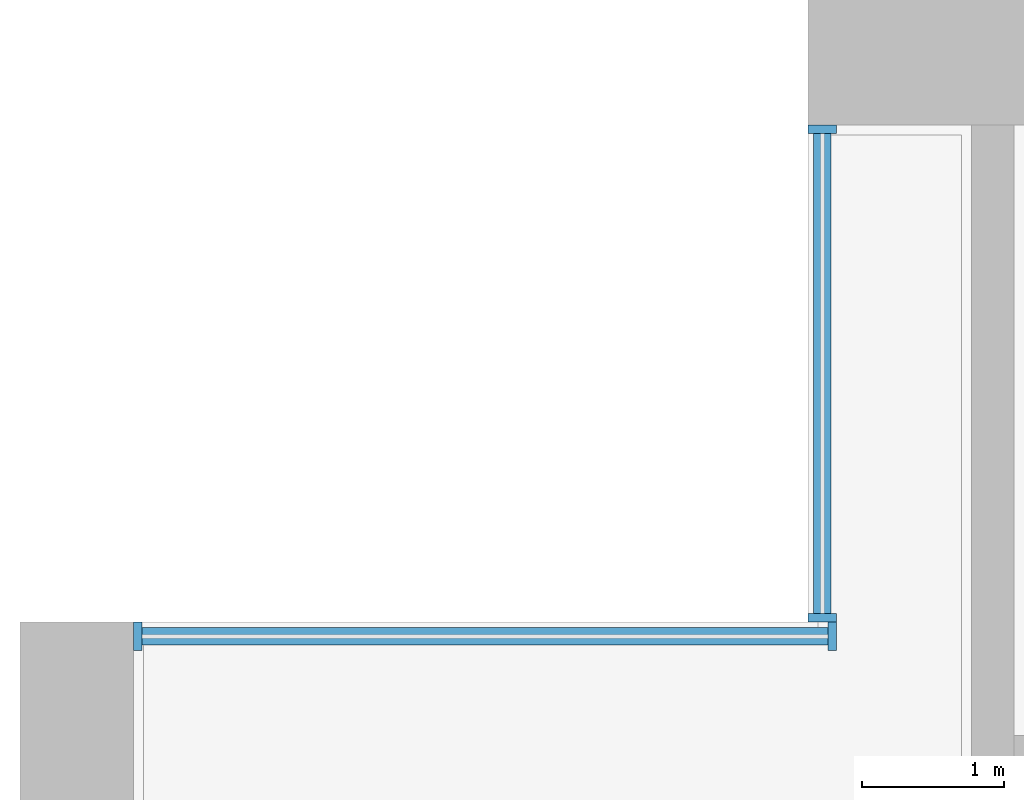
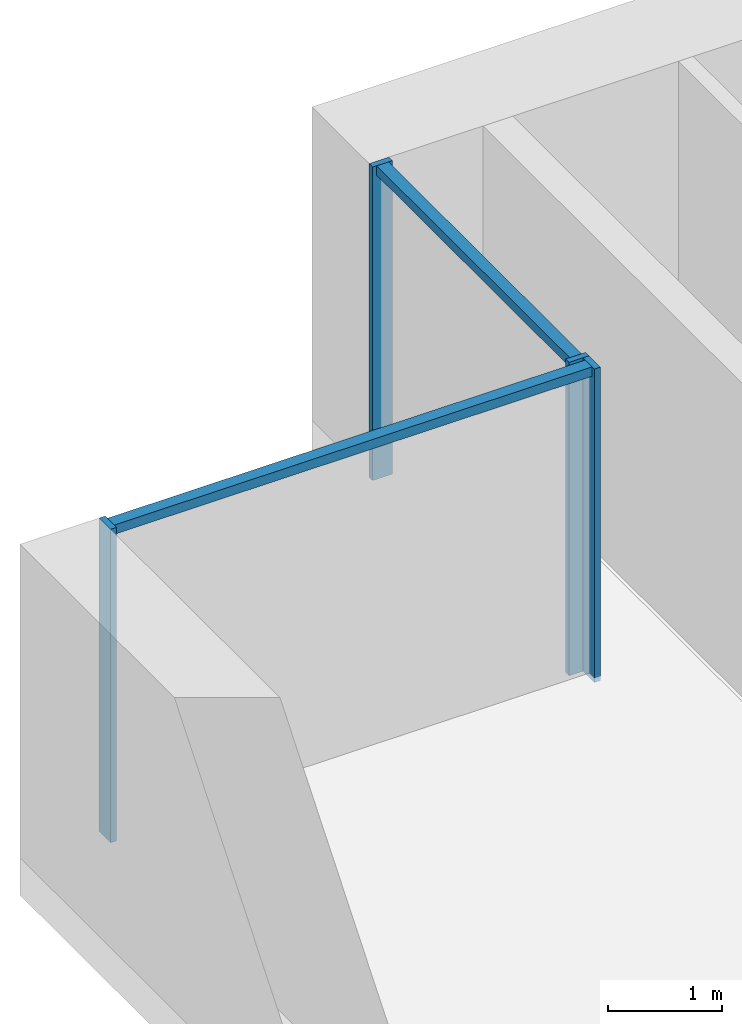
# One storey, part 4 of 18: 6 members, 2 elements without a shape of their own.
"""IFC4 building model written with IfcOpenShell, lengths in metres."""

from ifc_helpers import new_model, si_unit, direction, frame, origin, origin_2d, place, context, subcontext, project, spatial, rectangle, extrude, material, material_profile, profile_set, type_object, element, aggregate, save


model = new_model("IFC4")

# Units and contexts
model_context = context("Model", 3, precision=1e-05, world=origin(), true_north=direction((0.0, 1.0)))
body_context = subcontext(model_context, "Body", "Model", "MODEL_VIEW")
ifc_project = project(units=[si_unit("LENGTHUNIT", "METRE"), si_unit("AREAUNIT", "SQUARE_METRE"), si_unit("VOLUMEUNIT", "CUBIC_METRE"), si_unit("PLANEANGLEUNIT", "RADIAN"), si_unit("MASSUNIT", "GRAM", prefix="KILO")], contexts=[model_context])

# Site, building, storey
site_placement = place(None, origin())
site = spatial("IfcSite", under=ifc_project, at=site_placement, CompositionType="ELEMENT")
building_placement = place(site_placement, origin())
building = spatial("IfcBuilding", under=site, at=building_placement, Name="Calvaro Tower", CompositionType="ELEMENT")
storey_placement = place(building_placement, frame((0.0, 0.0, 30.0)))
storey = spatial("IfcBuildingStorey", under=building, at=storey_placement, Name="L06", CompositionType="ELEMENT", Elevation=30.0)

# Curtain wall, members
ifc_material_1 = material(Name="Anodised aluminium", Category="aluminium")
curtain_wall_type = type_object("IfcCurtainWallType", Name="Office curtain wall, lower zone", PredefinedType="NOTDEFINED", material=ifc_material_1)
curtain_wall_1_placement = place(storey_placement, origin())
curtain_wall_1 = element("IfcCurtainWall", 1, at=curtain_wall_1_placement, inside=storey, type_object=curtain_wall_type, Name="CW1 corner curtain wall", PredefinedType="NOTDEFINED")
ifc_material_2 = material(Name="Anodised aluminium", Category="aluminium")
ifc_material_profile_1 = material_profile(ifc_material_2, rectangle(XDim=0.199951171875, YDim=0.06005859375, at=origin_2d()), Name="Mullion S1 60 x 200")
ifc_profile_set_1 = profile_set([ifc_material_profile_1], Name="Anodised aluminium")
member_type_1 = type_object("IfcMemberType", Name="Mullion S1 60 x 200", PredefinedType="MULLION", material=ifc_profile_set_1)
member_1_placement = place(storey_placement, frame((5.64990234375, 41.530029296875, 0.0), z_axis=(0.0, 0.0, 1.0), x_axis=(-1.0, 0.0, 0.0)))
member_1 = element("IfcMember", 2, at=member_1_placement, type_object=member_type_1, Name="CW1 mullion 1", PredefinedType="MULLION", context=body_context, shape_type="SweptSolid", body=[
    extrude(rectangle(XDim=0.199951171875, YDim=0.06005859375, at=origin_2d()), origin(), (0.0, 0.0, 1.0), 3.35009765625),
])
member_2_placement = place(storey_placement, frame((5.64990234375, 44.969970703125, 0.0), z_axis=(0.0, 0.0, 1.0), x_axis=(-1.0, 0.0, 0.0)))
member_2 = element("IfcMember", 3, at=member_2_placement, type_object=member_type_1, Name="CW1 mullion 2", PredefinedType="MULLION", context=body_context, shape_type="SweptSolid", body=[
    extrude(rectangle(XDim=0.199951171875, YDim=0.06005859375, at=origin_2d()), origin(), (0.0, 0.0, 1.0), 3.35009765625),
])

curtain_wall_2_placement = place(storey_placement, origin())
curtain_wall_2 = element("IfcCurtainWall", 4, at=curtain_wall_2_placement, inside=storey, type_object=curtain_wall_type, Name="CW1 corner curtain wall", PredefinedType="NOTDEFINED")
member_3_placement = place(storey_placement, frame((0.830078125, 41.39990234375, 0.0), z_axis=(0.0, 0.0, 1.0), x_axis=(0.0, 1.0, 0.0)))
member_3 = element("IfcMember", 5, at=member_3_placement, type_object=member_type_1, Name="CW1 mullion 1", PredefinedType="MULLION", context=body_context, shape_type="SweptSolid", body=[
    extrude(rectangle(XDim=0.199951171875, YDim=0.06005859375, at=origin_2d()), origin(), (0.0, 0.0, 1.0), 3.35009765625),
])
member_4_placement = place(storey_placement, frame((5.719970703125, 41.39990234375, 0.0), z_axis=(0.0, 0.0, 1.0), x_axis=(0.0, 1.0, 0.0)))
member_4 = element("IfcMember", 6, at=member_4_placement, type_object=member_type_1, Name="CW1 mullion 2", PredefinedType="MULLION", context=body_context, shape_type="SweptSolid", body=[
    extrude(rectangle(XDim=0.199951171875, YDim=0.06005859375, at=origin_2d()), origin(), (0.0, 0.0, 1.0), 3.35009765625),
])

# Member
ifc_material_3 = material(Name="Anodised aluminium", Category="aluminium")
ifc_material_profile_2 = material_profile(ifc_material_3, rectangle(XDim=0.1201171875, YDim=0.10009765625, at=origin_2d()), Name="Transom S1 100 x 120")
ifc_profile_set_2 = profile_set([ifc_material_profile_2], Name="Anodised aluminium")
member_type_2 = type_object("IfcMemberType", Name="Transom S1 100 x 120", PredefinedType="USERDEFINED", material=ifc_profile_set_2)
member_5_placement = place(storey_placement, frame((5.64990234375, 41.56005859375, 3.300048828125), z_axis=(0.0, 1.0, 0.0), x_axis=(-1.0, 0.0, 0.0)))
member_5 = element("IfcMember", 7, at=member_5_placement, type_object=member_type_2, Name="CW1 transom 1.1", ObjectType="TRANSOM", PredefinedType="USERDEFINED", context=body_context, shape_type="SweptSolid", body=[
    extrude(rectangle(XDim=0.1201171875, YDim=0.10009765625, at=origin_2d()), origin(), (0.0, 0.0, 1.0), 3.3798828125),
])

aggregate(curtain_wall_1, [member_1, member_2, member_5])

member_6_placement = place(storey_placement, frame((0.860107421875, 41.39990234375, 3.300048828125), z_axis=(1.0, 0.0, 0.0), x_axis=(0.0, 1.0, 0.0)))
member_6 = element("IfcMember", 8, at=member_6_placement, type_object=member_type_2, Name="CW1 transom 1.1", ObjectType="TRANSOM", PredefinedType="USERDEFINED", context=body_context, shape_type="SweptSolid", body=[
    extrude(rectangle(XDim=0.1201171875, YDim=0.10009765625, at=origin_2d()), origin(), (0.0, 0.0, 1.0), 4.829833984375),
])

aggregate(curtain_wall_2, [member_3, member_4, member_6])

save(model, "model.ifc")
